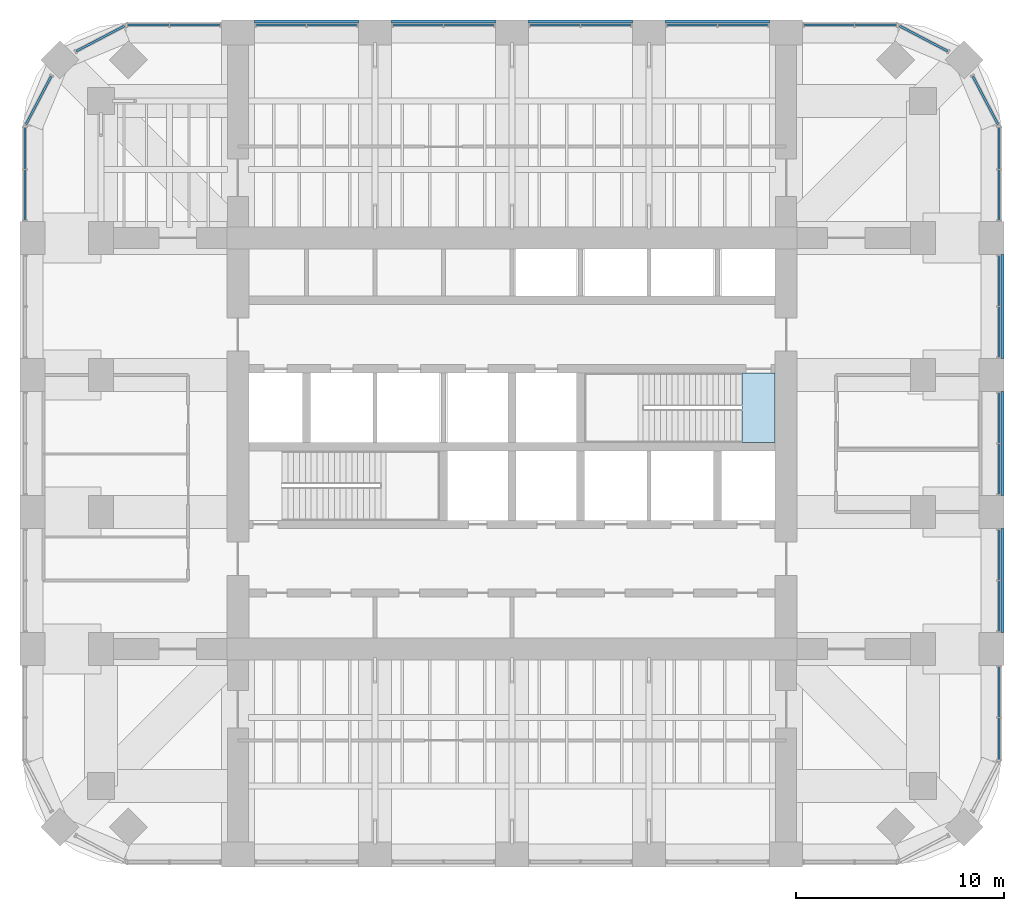
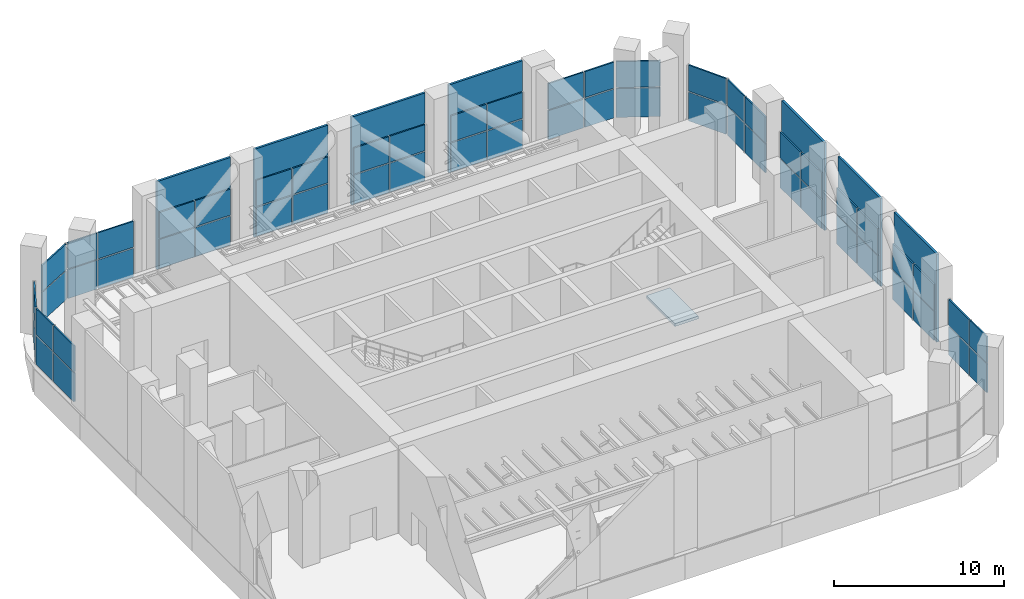
# One storey, part 10 of 15: 63 plates, 1 slab, 17 elements without a shape of their own.
"""IFC4 building model written with IfcOpenShell, lengths in metres."""

from ifc_helpers import new_model, si_unit, direction, frame, origin, origin_2d, place, context, subcontext, project, spatial, polyline, rectangle, outline, extrude, material, layer, layer_set, type_object, element, aggregate, save


model = new_model("IFC4")

# Units and contexts
model_context = context("Model", 3, precision=1e-05, world=origin(), true_north=direction((0.0, 1.0)))
body_context = subcontext(model_context, "Body", "Model", "MODEL_VIEW")
ifc_project = project(units=[si_unit("LENGTHUNIT", "METRE"), si_unit("AREAUNIT", "SQUARE_METRE"), si_unit("VOLUMEUNIT", "CUBIC_METRE"), si_unit("PLANEANGLEUNIT", "RADIAN"), si_unit("MASSUNIT", "GRAM", prefix="KILO")], contexts=[model_context])

# Site, building, storey
site_placement = place(None, origin())
site = spatial("IfcSite", under=ifc_project, at=site_placement, CompositionType="ELEMENT")
building_placement = place(site_placement, origin())
building = spatial("IfcBuilding", under=site, at=building_placement, Name="Cobogo Forest Laboratory Tower", CompositionType="ELEMENT")
storey_placement = place(building_placement, frame((0.0, 0.0, 222.89990234375)))
storey = spatial("IfcBuildingStorey", under=building, at=storey_placement, Name="L51", CompositionType="ELEMENT", Elevation=222.89990234375)

# Plates
ifc_material_1 = material(Name="Pierced concrete block", Category="concrete")
ifc_layer_1 = layer(ifc_material_1, 0.14990234375)
ifc_layer_set_1 = layer_set([ifc_layer_1], Name="CO2 cobogo block screen 150")
plate_type_1 = type_object("IfcPlateType", Name="CO2 cobogo block screen 150", PredefinedType="USERDEFINED", material=ifc_layer_set_1)
for number, where, z_axis, x_axis, name in (
    (1, (50.02490234375, 16.5, -0.14990234375), (0.0, 0.0, 1.0), (0.0, 1.0, 0.0), "Cobogo screen E1 L51"),
    (2, (50.02490234375, 23.10009765625, -0.14990234375), (0.0, 0.0, 1.0), (0.0, 1.0, 0.0), "Cobogo screen E2 L51"),
    (3, (50.02490234375, 29.699951171875, -0.14990234375), (0.0, 0.0, 1.0), (0.0, 1.0, 0.0), "Cobogo screen E3 L51"),
    (4, (16.5, 43.425048828125, -0.14990234375), (0.0, 0.0, 1.0), (1.0, 0.0, 0.0), "Cobogo screen N1 L51"),
    (5, (23.10009765625, 43.425048828125, -0.14990234375), (0.0, 0.0, 1.0), (1.0, 0.0, 0.0), "Cobogo screen N2 L51"),
    (6, (29.699951171875, 43.425048828125, -0.14990234375), (0.0, 0.0, 1.0), (1.0, 0.0, 0.0), "Cobogo screen N3 L51"),
    (7, (36.300048828125, 43.425048828125, -0.14990234375), (0.0, 0.0, 1.0), (1.0, 0.0, 0.0), "Cobogo screen N4 L51"),
):
    element("IfcPlate", number, at=place(storey_placement, frame(where, z_axis=z_axis, x_axis=x_axis)), inside=storey, type_object=plate_type_1, Name=name, ObjectType="COBOGO SCREEN", PredefinedType="USERDEFINED", context=body_context, shape_type="SweptSolid", body=[
        extrude(rectangle(XDim=5.0, YDim=0.14990234375, at=origin_2d()), origin(), (0.0, 0.0, 1.0), 6.300048828125),
    ])

# Curtain wall, plates
ifc_material_2 = material(Name="Aluminium curtain wall", Category="aluminium")
curtain_wall_type = type_object("IfcCurtainWallType", Name="CW-P louvred curtain wall, plant floors", PredefinedType="USERDEFINED", material=ifc_material_2)
curtain_wall_1_placement = place(storey_placement, origin())
curtain_wall_1 = element("IfcCurtainWall", 8, at=curtain_wall_1_placement, inside=storey, type_object=curtain_wall_type, Name="Curtain wall 09 L51", ObjectType="LOUVRED CURTAIN WALL", PredefinedType="USERDEFINED")
ifc_material_3 = material(Name="Aluminium louvre", Category="aluminium")
ifc_layer_2 = layer(ifc_material_3, 0.10009765625)
ifc_layer_set_2 = layer_set([ifc_layer_2], Name="LV-1 aluminium weather louvre panel 100")
plate_type_2 = type_object("IfcPlateType", Name="LV-1 aluminium weather louvre panel 100", PredefinedType="CURTAIN_PANEL", material=ifc_layer_set_2)
plate_1_placement = place(storey_placement, frame((49.85009765625, 8.8701171875, 0.0), z_axis=(0.0, 0.0, 1.0), x_axis=(0.0, 1.0, 0.0)))
plate_1 = element("IfcPlate", 9, at=plate_1_placement, type_object=plate_type_2, Name="CW-P panel 1.1", PredefinedType="CURTAIN_PANEL", context=body_context, shape_type="SweptSolid", body=[
    extrude(rectangle(XDim=1.97998046875, YDim=0.10009765625, at=origin_2d()), origin(), (0.0, 0.0, 1.0), 2.06005859375),
])
plate_2_placement = place(storey_placement, frame((49.85009765625, 8.8701171875, 2.14013671875), z_axis=(0.0, 0.0, 1.0), x_axis=(0.0, 1.0, 0.0)))
plate_2 = element("IfcPlate", 10, at=plate_2_placement, type_object=plate_type_2, Name="CW-P panel 1.2", PredefinedType="CURTAIN_PANEL", context=body_context, shape_type="SweptSolid", body=[
    extrude(rectangle(XDim=1.97998046875, YDim=0.10009765625, at=origin_2d()), origin(), (0.0, 0.0, 1.0), 1.860107421875),
])
plate_3_placement = place(storey_placement, frame((49.85009765625, 11.1298828125, 0.0), z_axis=(0.0, 0.0, 1.0), x_axis=(0.0, 1.0, 0.0)))
plate_3 = element("IfcPlate", 11, at=plate_3_placement, type_object=plate_type_2, Name="CW-P panel 2.1", PredefinedType="CURTAIN_PANEL", context=body_context, shape_type="SweptSolid", body=[
    extrude(rectangle(XDim=2.3798828125, YDim=0.10009765625, at=origin_2d()), origin(), (0.0, 0.0, 1.0), 2.06005859375),
])
plate_4_placement = place(storey_placement, frame((49.85009765625, 11.1298828125, 2.14013671875), z_axis=(0.0, 0.0, 1.0), x_axis=(0.0, 1.0, 0.0)))
plate_4 = element("IfcPlate", 12, at=plate_4_placement, type_object=plate_type_2, Name="CW-P panel 2.2", PredefinedType="CURTAIN_PANEL", context=body_context, shape_type="SweptSolid", body=[
    extrude(rectangle(XDim=2.3798828125, YDim=0.10009765625, at=origin_2d()), origin(), (0.0, 0.0, 1.0), 1.860107421875),
])
aggregate(curtain_wall_1, [plate_1, plate_2, plate_3, plate_4])

curtain_wall_2_placement = place(storey_placement, origin())
curtain_wall_2 = element("IfcCurtainWall", 13, at=curtain_wall_2_placement, inside=storey, type_object=curtain_wall_type, Name="Curtain wall 10 L51", ObjectType="LOUVRED CURTAIN WALL", PredefinedType="USERDEFINED")
plate_5_placement = place(storey_placement, frame((49.85009765625, 15.27001953125, 0.0), z_axis=(0.0, 0.0, 1.0), x_axis=(0.0, 1.0, 0.0)))
plate_5 = element("IfcPlate", 14, at=plate_5_placement, type_object=plate_type_2, Name="CW-P panel 1.1", PredefinedType="CURTAIN_PANEL", context=body_context, shape_type="SweptSolid", body=[
    extrude(rectangle(XDim=2.3798828125, YDim=0.10009765625, at=origin_2d()), origin(), (0.0, 0.0, 1.0), 2.06005859375),
])
plate_6_placement = place(storey_placement, frame((49.85009765625, 15.27001953125, 2.14013671875), z_axis=(0.0, 0.0, 1.0), x_axis=(0.0, 1.0, 0.0)))
plate_6 = element("IfcPlate", 15, at=plate_6_placement, type_object=plate_type_2, Name="CW-P panel 1.2", PredefinedType="CURTAIN_PANEL", context=body_context, shape_type="SweptSolid", body=[
    extrude(rectangle(XDim=2.3798828125, YDim=0.10009765625, at=origin_2d()), origin(), (0.0, 0.0, 1.0), 1.860107421875),
])
plate_7_placement = place(storey_placement, frame((49.85009765625, 17.72998046875, 0.0), z_axis=(0.0, 0.0, 1.0), x_axis=(0.0, 1.0, 0.0)))
plate_7 = element("IfcPlate", 16, at=plate_7_placement, type_object=plate_type_2, Name="CW-P panel 2.1", PredefinedType="CURTAIN_PANEL", context=body_context, shape_type="SweptSolid", body=[
    extrude(rectangle(XDim=2.3798828125, YDim=0.10009765625, at=origin_2d()), origin(), (0.0, 0.0, 1.0), 2.06005859375),
])
plate_8_placement = place(storey_placement, frame((49.85009765625, 17.72998046875, 2.14013671875), z_axis=(0.0, 0.0, 1.0), x_axis=(0.0, 1.0, 0.0)))
plate_8 = element("IfcPlate", 17, at=plate_8_placement, type_object=plate_type_2, Name="CW-P panel 2.2", PredefinedType="CURTAIN_PANEL", context=body_context, shape_type="SweptSolid", body=[
    extrude(rectangle(XDim=2.3798828125, YDim=0.10009765625, at=origin_2d()), origin(), (0.0, 0.0, 1.0), 1.860107421875),
])
aggregate(curtain_wall_2, [plate_5, plate_6, plate_7, plate_8])

curtain_wall_3_placement = place(storey_placement, origin())
curtain_wall_3 = element("IfcCurtainWall", 18, at=curtain_wall_3_placement, inside=storey, type_object=curtain_wall_type, Name="Curtain wall 11 L51", ObjectType="LOUVRED CURTAIN WALL", PredefinedType="USERDEFINED")
plate_9_placement = place(storey_placement, frame((49.85009765625, 21.8701171875, 0.0), z_axis=(0.0, 0.0, 1.0), x_axis=(0.0, 1.0, 0.0)))
plate_9 = element("IfcPlate", 19, at=plate_9_placement, type_object=plate_type_2, Name="CW-P panel 1.1", PredefinedType="CURTAIN_PANEL", context=body_context, shape_type="SweptSolid", body=[
    extrude(rectangle(XDim=2.3798828125, YDim=0.10009765625, at=origin_2d()), origin(), (0.0, 0.0, 1.0), 2.06005859375),
])
plate_10_placement = place(storey_placement, frame((49.85009765625, 21.8701171875, 2.14013671875), z_axis=(0.0, 0.0, 1.0), x_axis=(0.0, 1.0, 0.0)))
plate_10 = element("IfcPlate", 20, at=plate_10_placement, type_object=plate_type_2, Name="CW-P panel 1.2", PredefinedType="CURTAIN_PANEL", context=body_context, shape_type="SweptSolid", body=[
    extrude(rectangle(XDim=2.3798828125, YDim=0.10009765625, at=origin_2d()), origin(), (0.0, 0.0, 1.0), 1.860107421875),
])
plate_11_placement = place(storey_placement, frame((49.85009765625, 24.330078125, 0.0), z_axis=(0.0, 0.0, 1.0), x_axis=(0.0, 1.0, 0.0)))
plate_11 = element("IfcPlate", 21, at=plate_11_placement, type_object=plate_type_2, Name="CW-P panel 2.1", PredefinedType="CURTAIN_PANEL", context=body_context, shape_type="SweptSolid", body=[
    extrude(rectangle(XDim=2.3798828125, YDim=0.10009765625, at=origin_2d()), origin(), (0.0, 0.0, 1.0), 2.06005859375),
])
plate_12_placement = place(storey_placement, frame((49.85009765625, 24.330078125, 2.14013671875), z_axis=(0.0, 0.0, 1.0), x_axis=(0.0, 1.0, 0.0)))
plate_12 = element("IfcPlate", 22, at=plate_12_placement, type_object=plate_type_2, Name="CW-P panel 2.2", PredefinedType="CURTAIN_PANEL", context=body_context, shape_type="SweptSolid", body=[
    extrude(rectangle(XDim=2.3798828125, YDim=0.10009765625, at=origin_2d()), origin(), (0.0, 0.0, 1.0), 1.860107421875),
])
aggregate(curtain_wall_3, [plate_9, plate_10, plate_11, plate_12])

curtain_wall_4_placement = place(storey_placement, origin())
curtain_wall_4 = element("IfcCurtainWall", 23, at=curtain_wall_4_placement, inside=storey, type_object=curtain_wall_type, Name="Curtain wall 12 L51", ObjectType="LOUVRED CURTAIN WALL", PredefinedType="USERDEFINED")
plate_13_placement = place(storey_placement, frame((49.85009765625, 28.469970703125, 0.0), z_axis=(0.0, 0.0, 1.0), x_axis=(0.0, 1.0, 0.0)))
plate_13 = element("IfcPlate", 24, at=plate_13_placement, type_object=plate_type_2, Name="CW-P panel 1.1", PredefinedType="CURTAIN_PANEL", context=body_context, shape_type="SweptSolid", body=[
    extrude(rectangle(XDim=2.3798828125, YDim=0.10009765625, at=origin_2d()), origin(), (0.0, 0.0, 1.0), 2.06005859375),
])
plate_14_placement = place(storey_placement, frame((49.85009765625, 28.469970703125, 2.14013671875), z_axis=(0.0, 0.0, 1.0), x_axis=(0.0, 1.0, 0.0)))
plate_14 = element("IfcPlate", 25, at=plate_14_placement, type_object=plate_type_2, Name="CW-P panel 1.2", PredefinedType="CURTAIN_PANEL", context=body_context, shape_type="SweptSolid", body=[
    extrude(rectangle(XDim=2.3798828125, YDim=0.10009765625, at=origin_2d()), origin(), (0.0, 0.0, 1.0), 1.860107421875),
])
plate_15_placement = place(storey_placement, frame((49.85009765625, 30.929931640625, 0.0), z_axis=(0.0, 0.0, 1.0), x_axis=(0.0, 1.0, 0.0)))
plate_15 = element("IfcPlate", 26, at=plate_15_placement, type_object=plate_type_2, Name="CW-P panel 2.1", PredefinedType="CURTAIN_PANEL", context=body_context, shape_type="SweptSolid", body=[
    extrude(rectangle(XDim=2.3798828125, YDim=0.10009765625, at=origin_2d()), origin(), (0.0, 0.0, 1.0), 2.06005859375),
])
plate_16_placement = place(storey_placement, frame((49.85009765625, 30.929931640625, 2.14013671875), z_axis=(0.0, 0.0, 1.0), x_axis=(0.0, 1.0, 0.0)))
plate_16 = element("IfcPlate", 27, at=plate_16_placement, type_object=plate_type_2, Name="CW-P panel 2.2", PredefinedType="CURTAIN_PANEL", context=body_context, shape_type="SweptSolid", body=[
    extrude(rectangle(XDim=2.3798828125, YDim=0.10009765625, at=origin_2d()), origin(), (0.0, 0.0, 1.0), 1.860107421875),
])
aggregate(curtain_wall_4, [plate_13, plate_14, plate_15, plate_16])

curtain_wall_5_placement = place(storey_placement, origin())
curtain_wall_5 = element("IfcCurtainWall", 28, at=curtain_wall_5_placement, inside=storey, type_object=curtain_wall_type, Name="Curtain wall 13 L51", ObjectType="LOUVRED CURTAIN WALL", PredefinedType="USERDEFINED")
plate_17_placement = place(storey_placement, frame((49.85009765625, 35.070068359375, 0.0), z_axis=(0.0, 0.0, 1.0), x_axis=(0.0, 1.0, 0.0)))
plate_17 = element("IfcPlate", 29, at=plate_17_placement, type_object=plate_type_2, Name="CW-P panel 1.1", PredefinedType="CURTAIN_PANEL", context=body_context, shape_type="SweptSolid", body=[
    extrude(rectangle(XDim=2.3798828125, YDim=0.10009765625, at=origin_2d()), origin(), (0.0, 0.0, 1.0), 2.06005859375),
])
plate_18_placement = place(storey_placement, frame((49.85009765625, 35.070068359375, 2.14013671875), z_axis=(0.0, 0.0, 1.0), x_axis=(0.0, 1.0, 0.0)))
plate_18 = element("IfcPlate", 30, at=plate_18_placement, type_object=plate_type_2, Name="CW-P panel 1.2", PredefinedType="CURTAIN_PANEL", context=body_context, shape_type="SweptSolid", body=[
    extrude(rectangle(XDim=2.3798828125, YDim=0.10009765625, at=origin_2d()), origin(), (0.0, 0.0, 1.0), 1.860107421875),
])
plate_19_placement = place(storey_placement, frame((49.85009765625, 37.330078125, 0.0), z_axis=(0.0, 0.0, 1.0), x_axis=(0.0, 1.0, 0.0)))
plate_19 = element("IfcPlate", 31, at=plate_19_placement, type_object=plate_type_2, Name="CW-P panel 2.1", PredefinedType="CURTAIN_PANEL", context=body_context, shape_type="SweptSolid", body=[
    extrude(rectangle(XDim=1.97998046875, YDim=0.10009765625, at=origin_2d()), origin(), (0.0, 0.0, 1.0), 2.06005859375),
])
plate_20_placement = place(storey_placement, frame((49.85009765625, 37.330078125, 2.14013671875), z_axis=(0.0, 0.0, 1.0), x_axis=(0.0, 1.0, 0.0)))
plate_20 = element("IfcPlate", 32, at=plate_20_placement, type_object=plate_type_2, Name="CW-P panel 2.2", PredefinedType="CURTAIN_PANEL", context=body_context, shape_type="SweptSolid", body=[
    extrude(rectangle(XDim=1.97998046875, YDim=0.10009765625, at=origin_2d()), origin(), (0.0, 0.0, 1.0), 1.860107421875),
])
aggregate(curtain_wall_5, [plate_17, plate_18, plate_19, plate_20])

curtain_wall_6_placement = place(storey_placement, origin())
curtain_wall_6 = element("IfcCurtainWall", 33, at=curtain_wall_6_placement, inside=storey, type_object=curtain_wall_type, Name="Curtain wall 14 L51", ObjectType="LOUVRED CURTAIN WALL", PredefinedType="USERDEFINED")
plate_21_placement = place(storey_placement, frame((49.20556640625, 39.629150390625, 0.0), z_axis=(0.0, 0.0, 1.0), x_axis=(-0.464283685186, 0.885686547075, 0.0)))
plate_21 = element("IfcPlate", 34, at=plate_21_placement, type_object=plate_type_2, Name="CW-P panel 1.1", PredefinedType="CURTAIN_PANEL", context=body_context, shape_type="SweptSolid", body=[
    extrude(rectangle(XDim=2.615478515625, YDim=0.10009765625, at=origin_2d()), origin(), (0.0, 0.0, 1.0), 2.06005859375),
])
plate_22_placement = place(storey_placement, frame((49.20556640625, 39.629150390625, 2.14013671875), z_axis=(0.0, 0.0, 1.0), x_axis=(-0.464283685186, 0.885686547075, 0.0)))
plate_22 = element("IfcPlate", 35, at=plate_22_placement, type_object=plate_type_2, Name="CW-P panel 1.2", PredefinedType="CURTAIN_PANEL", context=body_context, shape_type="SweptSolid", body=[
    extrude(rectangle(XDim=2.615478515625, YDim=0.10009765625, at=origin_2d()), origin(), (0.0, 0.0, 1.0), 1.860107421875),
])
aggregate(curtain_wall_6, [plate_21, plate_22])

curtain_wall_7_placement = place(storey_placement, origin())
curtain_wall_7 = element("IfcCurtainWall", 36, at=curtain_wall_7_placement, inside=storey, type_object=curtain_wall_type, Name="Curtain wall 15 L51", ObjectType="LOUVRED CURTAIN WALL", PredefinedType="USERDEFINED")
plate_23_placement = place(storey_placement, frame((46.229248046875, 42.605712890625, 0.0), z_axis=(0.0, 0.0, 1.0), x_axis=(-0.885686547075, 0.464283685186, 0.0)))
plate_23 = element("IfcPlate", 37, at=plate_23_placement, type_object=plate_type_2, Name="CW-P panel 1.1", PredefinedType="CURTAIN_PANEL", context=body_context, shape_type="SweptSolid", body=[
    extrude(rectangle(XDim=2.615478515625, YDim=0.10009765625, at=origin_2d()), origin(), (0.0, 0.0, 1.0), 2.06005859375),
])
plate_24_placement = place(storey_placement, frame((46.229248046875, 42.605712890625, 2.14013671875), z_axis=(0.0, 0.0, 1.0), x_axis=(-0.885686547075, 0.464283685186, 0.0)))
plate_24 = element("IfcPlate", 38, at=plate_24_placement, type_object=plate_type_2, Name="CW-P panel 1.2", PredefinedType="CURTAIN_PANEL", context=body_context, shape_type="SweptSolid", body=[
    extrude(rectangle(XDim=2.615478515625, YDim=0.10009765625, at=origin_2d()), origin(), (0.0, 0.0, 1.0), 1.860107421875),
])
aggregate(curtain_wall_7, [plate_23, plate_24])

curtain_wall_8_placement = place(storey_placement, origin())
curtain_wall_8 = element("IfcCurtainWall", 39, at=curtain_wall_8_placement, inside=storey, type_object=curtain_wall_type, Name="Curtain wall 16 L51", ObjectType="LOUVRED CURTAIN WALL", PredefinedType="USERDEFINED")
plate_25_placement = place(storey_placement, frame((43.929931640625, 43.25, 0.0), z_axis=(0.0, 0.0, 1.0), x_axis=(-1.0, 0.0, 0.0)))
plate_25 = element("IfcPlate", 40, at=plate_25_placement, type_object=plate_type_2, Name="CW-P panel 1.1", PredefinedType="CURTAIN_PANEL", context=body_context, shape_type="SweptSolid", body=[
    extrude(rectangle(XDim=1.97998046875, YDim=0.10009765625, at=origin_2d()), origin(), (0.0, 0.0, 1.0), 2.06005859375),
])
plate_26_placement = place(storey_placement, frame((43.929931640625, 43.25, 2.14013671875), z_axis=(0.0, 0.0, 1.0), x_axis=(-1.0, 0.0, 0.0)))
plate_26 = element("IfcPlate", 41, at=plate_26_placement, type_object=plate_type_2, Name="CW-P panel 1.2", PredefinedType="CURTAIN_PANEL", context=body_context, shape_type="SweptSolid", body=[
    extrude(rectangle(XDim=1.97998046875, YDim=0.10009765625, at=origin_2d()), origin(), (0.0, 0.0, 1.0), 1.860107421875),
])
plate_27_placement = place(storey_placement, frame((41.669921875, 43.25, 0.0), z_axis=(0.0, 0.0, 1.0), x_axis=(-1.0, 0.0, 0.0)))
plate_27 = element("IfcPlate", 42, at=plate_27_placement, type_object=plate_type_2, Name="CW-P panel 2.1", PredefinedType="CURTAIN_PANEL", context=body_context, shape_type="SweptSolid", body=[
    extrude(rectangle(XDim=2.3798828125, YDim=0.10009765625, at=origin_2d()), origin(), (0.0, 0.0, 1.0), 2.06005859375),
])
plate_28_placement = place(storey_placement, frame((41.669921875, 43.25, 2.14013671875), z_axis=(0.0, 0.0, 1.0), x_axis=(-1.0, 0.0, 0.0)))
plate_28 = element("IfcPlate", 43, at=plate_28_placement, type_object=plate_type_2, Name="CW-P panel 2.2", PredefinedType="CURTAIN_PANEL", context=body_context, shape_type="SweptSolid", body=[
    extrude(rectangle(XDim=2.3798828125, YDim=0.10009765625, at=origin_2d()), origin(), (0.0, 0.0, 1.0), 1.860107421875),
])
aggregate(curtain_wall_8, [plate_25, plate_26, plate_27, plate_28])

curtain_wall_9_placement = place(storey_placement, origin())
curtain_wall_9 = element("IfcCurtainWall", 44, at=curtain_wall_9_placement, inside=storey, type_object=curtain_wall_type, Name="Curtain wall 17 L51", ObjectType="LOUVRED CURTAIN WALL", PredefinedType="USERDEFINED")
plate_29_placement = place(storey_placement, frame((37.530029296875, 43.25, 0.0), z_axis=(0.0, 0.0, 1.0), x_axis=(-1.0, 0.0, 0.0)))
plate_29 = element("IfcPlate", 45, at=plate_29_placement, type_object=plate_type_2, Name="CW-P panel 1.1", PredefinedType="CURTAIN_PANEL", context=body_context, shape_type="SweptSolid", body=[
    extrude(rectangle(XDim=2.3798828125, YDim=0.10009765625, at=origin_2d()), origin(), (0.0, 0.0, 1.0), 2.06005859375),
])
plate_30_placement = place(storey_placement, frame((37.530029296875, 43.25, 2.14013671875), z_axis=(0.0, 0.0, 1.0), x_axis=(-1.0, 0.0, 0.0)))
plate_30 = element("IfcPlate", 46, at=plate_30_placement, type_object=plate_type_2, Name="CW-P panel 1.2", PredefinedType="CURTAIN_PANEL", context=body_context, shape_type="SweptSolid", body=[
    extrude(rectangle(XDim=2.3798828125, YDim=0.10009765625, at=origin_2d()), origin(), (0.0, 0.0, 1.0), 1.860107421875),
])
plate_31_placement = place(storey_placement, frame((35.070068359375, 43.25, 0.0), z_axis=(0.0, 0.0, 1.0), x_axis=(-1.0, 0.0, 0.0)))
plate_31 = element("IfcPlate", 47, at=plate_31_placement, type_object=plate_type_2, Name="CW-P panel 2.1", PredefinedType="CURTAIN_PANEL", context=body_context, shape_type="SweptSolid", body=[
    extrude(rectangle(XDim=2.3798828125, YDim=0.10009765625, at=origin_2d()), origin(), (0.0, 0.0, 1.0), 2.06005859375),
])
plate_32_placement = place(storey_placement, frame((35.070068359375, 43.25, 2.14013671875), z_axis=(0.0, 0.0, 1.0), x_axis=(-1.0, 0.0, 0.0)))
plate_32 = element("IfcPlate", 48, at=plate_32_placement, type_object=plate_type_2, Name="CW-P panel 2.2", PredefinedType="CURTAIN_PANEL", context=body_context, shape_type="SweptSolid", body=[
    extrude(rectangle(XDim=2.3798828125, YDim=0.10009765625, at=origin_2d()), origin(), (0.0, 0.0, 1.0), 1.860107421875),
])
aggregate(curtain_wall_9, [plate_29, plate_30, plate_31, plate_32])

curtain_wall_10_placement = place(storey_placement, origin())
curtain_wall_10 = element("IfcCurtainWall", 49, at=curtain_wall_10_placement, inside=storey, type_object=curtain_wall_type, Name="Curtain wall 18 L51", ObjectType="LOUVRED CURTAIN WALL", PredefinedType="USERDEFINED")
plate_33_placement = place(storey_placement, frame((30.929931640625, 43.25, 0.0), z_axis=(0.0, 0.0, 1.0), x_axis=(-1.0, 0.0, 0.0)))
plate_33 = element("IfcPlate", 50, at=plate_33_placement, type_object=plate_type_2, Name="CW-P panel 1.1", PredefinedType="CURTAIN_PANEL", context=body_context, shape_type="SweptSolid", body=[
    extrude(rectangle(XDim=2.3798828125, YDim=0.10009765625, at=origin_2d()), origin(), (0.0, 0.0, 1.0), 2.06005859375),
])
plate_34_placement = place(storey_placement, frame((30.929931640625, 43.25, 2.14013671875), z_axis=(0.0, 0.0, 1.0), x_axis=(-1.0, 0.0, 0.0)))
plate_34 = element("IfcPlate", 51, at=plate_34_placement, type_object=plate_type_2, Name="CW-P panel 1.2", PredefinedType="CURTAIN_PANEL", context=body_context, shape_type="SweptSolid", body=[
    extrude(rectangle(XDim=2.3798828125, YDim=0.10009765625, at=origin_2d()), origin(), (0.0, 0.0, 1.0), 1.860107421875),
])
plate_35_placement = place(storey_placement, frame((28.469970703125, 43.25, 0.0), z_axis=(0.0, 0.0, 1.0), x_axis=(-1.0, 0.0, 0.0)))
plate_35 = element("IfcPlate", 52, at=plate_35_placement, type_object=plate_type_2, Name="CW-P panel 2.1", PredefinedType="CURTAIN_PANEL", context=body_context, shape_type="SweptSolid", body=[
    extrude(rectangle(XDim=2.3798828125, YDim=0.10009765625, at=origin_2d()), origin(), (0.0, 0.0, 1.0), 2.06005859375),
])
plate_36_placement = place(storey_placement, frame((28.469970703125, 43.25, 2.14013671875), z_axis=(0.0, 0.0, 1.0), x_axis=(-1.0, 0.0, 0.0)))
plate_36 = element("IfcPlate", 53, at=plate_36_placement, type_object=plate_type_2, Name="CW-P panel 2.2", PredefinedType="CURTAIN_PANEL", context=body_context, shape_type="SweptSolid", body=[
    extrude(rectangle(XDim=2.3798828125, YDim=0.10009765625, at=origin_2d()), origin(), (0.0, 0.0, 1.0), 1.860107421875),
])
aggregate(curtain_wall_10, [plate_33, plate_34, plate_35, plate_36])

curtain_wall_11_placement = place(storey_placement, origin())
curtain_wall_11 = element("IfcCurtainWall", 54, at=curtain_wall_11_placement, inside=storey, type_object=curtain_wall_type, Name="Curtain wall 19 L51", ObjectType="LOUVRED CURTAIN WALL", PredefinedType="USERDEFINED")
plate_37_placement = place(storey_placement, frame((24.330078125, 43.25, 0.0), z_axis=(0.0, 0.0, 1.0), x_axis=(-1.0, 0.0, 0.0)))
plate_37 = element("IfcPlate", 55, at=plate_37_placement, type_object=plate_type_2, Name="CW-P panel 1.1", PredefinedType="CURTAIN_PANEL", context=body_context, shape_type="SweptSolid", body=[
    extrude(rectangle(XDim=2.3798828125, YDim=0.10009765625, at=origin_2d()), origin(), (0.0, 0.0, 1.0), 2.06005859375),
])
plate_38_placement = place(storey_placement, frame((24.330078125, 43.25, 2.14013671875), z_axis=(0.0, 0.0, 1.0), x_axis=(-1.0, 0.0, 0.0)))
plate_38 = element("IfcPlate", 56, at=plate_38_placement, type_object=plate_type_2, Name="CW-P panel 1.2", PredefinedType="CURTAIN_PANEL", context=body_context, shape_type="SweptSolid", body=[
    extrude(rectangle(XDim=2.3798828125, YDim=0.10009765625, at=origin_2d()), origin(), (0.0, 0.0, 1.0), 1.860107421875),
])
plate_39_placement = place(storey_placement, frame((21.8701171875, 43.25, 0.0), z_axis=(0.0, 0.0, 1.0), x_axis=(-1.0, 0.0, 0.0)))
plate_39 = element("IfcPlate", 57, at=plate_39_placement, type_object=plate_type_2, Name="CW-P panel 2.1", PredefinedType="CURTAIN_PANEL", context=body_context, shape_type="SweptSolid", body=[
    extrude(rectangle(XDim=2.3798828125, YDim=0.10009765625, at=origin_2d()), origin(), (0.0, 0.0, 1.0), 2.06005859375),
])
plate_40_placement = place(storey_placement, frame((21.8701171875, 43.25, 2.14013671875), z_axis=(0.0, 0.0, 1.0), x_axis=(-1.0, 0.0, 0.0)))
plate_40 = element("IfcPlate", 58, at=plate_40_placement, type_object=plate_type_2, Name="CW-P panel 2.2", PredefinedType="CURTAIN_PANEL", context=body_context, shape_type="SweptSolid", body=[
    extrude(rectangle(XDim=2.3798828125, YDim=0.10009765625, at=origin_2d()), origin(), (0.0, 0.0, 1.0), 1.860107421875),
])
aggregate(curtain_wall_11, [plate_37, plate_38, plate_39, plate_40])

curtain_wall_12_placement = place(storey_placement, origin())
curtain_wall_12 = element("IfcCurtainWall", 59, at=curtain_wall_12_placement, inside=storey, type_object=curtain_wall_type, Name="Curtain wall 20 L51", ObjectType="LOUVRED CURTAIN WALL", PredefinedType="USERDEFINED")
plate_41_placement = place(storey_placement, frame((17.72998046875, 43.25, 0.0), z_axis=(0.0, 0.0, 1.0), x_axis=(-1.0, 0.0, 0.0)))
plate_41 = element("IfcPlate", 60, at=plate_41_placement, type_object=plate_type_2, Name="CW-P panel 1.1", PredefinedType="CURTAIN_PANEL", context=body_context, shape_type="SweptSolid", body=[
    extrude(rectangle(XDim=2.3798828125, YDim=0.10009765625, at=origin_2d()), origin(), (0.0, 0.0, 1.0), 2.06005859375),
])
plate_42_placement = place(storey_placement, frame((17.72998046875, 43.25, 2.14013671875), z_axis=(0.0, 0.0, 1.0), x_axis=(-1.0, 0.0, 0.0)))
plate_42 = element("IfcPlate", 61, at=plate_42_placement, type_object=plate_type_2, Name="CW-P panel 1.2", PredefinedType="CURTAIN_PANEL", context=body_context, shape_type="SweptSolid", body=[
    extrude(rectangle(XDim=2.3798828125, YDim=0.10009765625, at=origin_2d()), origin(), (0.0, 0.0, 1.0), 1.860107421875),
])
plate_43_placement = place(storey_placement, frame((15.27001953125, 43.25, 0.0), z_axis=(0.0, 0.0, 1.0), x_axis=(-1.0, 0.0, 0.0)))
plate_43 = element("IfcPlate", 62, at=plate_43_placement, type_object=plate_type_2, Name="CW-P panel 2.1", PredefinedType="CURTAIN_PANEL", context=body_context, shape_type="SweptSolid", body=[
    extrude(rectangle(XDim=2.3798828125, YDim=0.10009765625, at=origin_2d()), origin(), (0.0, 0.0, 1.0), 2.06005859375),
])
plate_44_placement = place(storey_placement, frame((15.27001953125, 43.25, 2.14013671875), z_axis=(0.0, 0.0, 1.0), x_axis=(-1.0, 0.0, 0.0)))
plate_44 = element("IfcPlate", 63, at=plate_44_placement, type_object=plate_type_2, Name="CW-P panel 2.2", PredefinedType="CURTAIN_PANEL", context=body_context, shape_type="SweptSolid", body=[
    extrude(rectangle(XDim=2.3798828125, YDim=0.10009765625, at=origin_2d()), origin(), (0.0, 0.0, 1.0), 1.860107421875),
])
aggregate(curtain_wall_12, [plate_41, plate_42, plate_43, plate_44])

curtain_wall_13_placement = place(storey_placement, origin())
curtain_wall_13 = element("IfcCurtainWall", 64, at=curtain_wall_13_placement, inside=storey, type_object=curtain_wall_type, Name="Curtain wall 21 L51", ObjectType="LOUVRED CURTAIN WALL", PredefinedType="USERDEFINED")
plate_45_placement = place(storey_placement, frame((11.1298828125, 43.25, 0.0), z_axis=(0.0, 0.0, 1.0), x_axis=(-1.0, 0.0, 0.0)))
plate_45 = element("IfcPlate", 65, at=plate_45_placement, type_object=plate_type_2, Name="CW-P panel 1.1", PredefinedType="CURTAIN_PANEL", context=body_context, shape_type="SweptSolid", body=[
    extrude(rectangle(XDim=2.3798828125, YDim=0.10009765625, at=origin_2d()), origin(), (0.0, 0.0, 1.0), 2.06005859375),
])
plate_46_placement = place(storey_placement, frame((11.1298828125, 43.25, 2.14013671875), z_axis=(0.0, 0.0, 1.0), x_axis=(-1.0, 0.0, 0.0)))
plate_46 = element("IfcPlate", 66, at=plate_46_placement, type_object=plate_type_2, Name="CW-P panel 1.2", PredefinedType="CURTAIN_PANEL", context=body_context, shape_type="SweptSolid", body=[
    extrude(rectangle(XDim=2.3798828125, YDim=0.10009765625, at=origin_2d()), origin(), (0.0, 0.0, 1.0), 1.860107421875),
])
plate_47_placement = place(storey_placement, frame((8.8701171875, 43.25, 0.0), z_axis=(0.0, 0.0, 1.0), x_axis=(-1.0, 0.0, 0.0)))
plate_47 = element("IfcPlate", 67, at=plate_47_placement, type_object=plate_type_2, Name="CW-P panel 2.1", PredefinedType="CURTAIN_PANEL", context=body_context, shape_type="SweptSolid", body=[
    extrude(rectangle(XDim=1.97998046875, YDim=0.10009765625, at=origin_2d()), origin(), (0.0, 0.0, 1.0), 2.06005859375),
])
plate_48_placement = place(storey_placement, frame((8.8701171875, 43.25, 2.14013671875), z_axis=(0.0, 0.0, 1.0), x_axis=(-1.0, 0.0, 0.0)))
plate_48 = element("IfcPlate", 68, at=plate_48_placement, type_object=plate_type_2, Name="CW-P panel 2.2", PredefinedType="CURTAIN_PANEL", context=body_context, shape_type="SweptSolid", body=[
    extrude(rectangle(XDim=1.97998046875, YDim=0.10009765625, at=origin_2d()), origin(), (0.0, 0.0, 1.0), 1.860107421875),
])
aggregate(curtain_wall_13, [plate_45, plate_46, plate_47, plate_48])

curtain_wall_14_placement = place(storey_placement, origin())
curtain_wall_14 = element("IfcCurtainWall", 69, at=curtain_wall_14_placement, inside=storey, type_object=curtain_wall_type, Name="Curtain wall 22 L51", ObjectType="LOUVRED CURTAIN WALL", PredefinedType="USERDEFINED")
plate_49_placement = place(storey_placement, frame((6.57080078125, 42.605712890625, 0.0), z_axis=(0.0, 0.0, 1.0), x_axis=(-0.885686547075, -0.464283685186, 0.0)))
plate_49 = element("IfcPlate", 70, at=plate_49_placement, type_object=plate_type_2, Name="CW-P panel 1.1", PredefinedType="CURTAIN_PANEL", context=body_context, shape_type="SweptSolid", body=[
    extrude(rectangle(XDim=2.615478515625, YDim=0.10009765625, at=origin_2d()), origin(), (0.0, 0.0, 1.0), 2.06005859375),
])
plate_50_placement = place(storey_placement, frame((6.57080078125, 42.605712890625, 2.14013671875), z_axis=(0.0, 0.0, 1.0), x_axis=(-0.885686547075, -0.464283685186, 0.0)))
plate_50 = element("IfcPlate", 71, at=plate_50_placement, type_object=plate_type_2, Name="CW-P panel 1.2", PredefinedType="CURTAIN_PANEL", context=body_context, shape_type="SweptSolid", body=[
    extrude(rectangle(XDim=2.615478515625, YDim=0.10009765625, at=origin_2d()), origin(), (0.0, 0.0, 1.0), 1.860107421875),
])
aggregate(curtain_wall_14, [plate_49, plate_50])

curtain_wall_15_placement = place(storey_placement, origin())
curtain_wall_15 = element("IfcCurtainWall", 72, at=curtain_wall_15_placement, inside=storey, type_object=curtain_wall_type, Name="Curtain wall 23 L51", ObjectType="LOUVRED CURTAIN WALL", PredefinedType="USERDEFINED")
plate_51_placement = place(storey_placement, frame((3.59423828125, 39.629150390625, 0.0), z_axis=(0.0, 0.0, 1.0), x_axis=(-0.464283685186, -0.885686547075, 0.0)))
plate_51 = element("IfcPlate", 73, at=plate_51_placement, type_object=plate_type_2, Name="CW-P panel 1.1", PredefinedType="CURTAIN_PANEL", context=body_context, shape_type="SweptSolid", body=[
    extrude(rectangle(XDim=2.615478515625, YDim=0.10009765625, at=origin_2d()), origin(), (0.0, 0.0, 1.0), 2.06005859375),
])
plate_52_placement = place(storey_placement, frame((3.59423828125, 39.629150390625, 2.14013671875), z_axis=(0.0, 0.0, 1.0), x_axis=(-0.464283685186, -0.885686547075, 0.0)))
plate_52 = element("IfcPlate", 74, at=plate_52_placement, type_object=plate_type_2, Name="CW-P panel 1.2", PredefinedType="CURTAIN_PANEL", context=body_context, shape_type="SweptSolid", body=[
    extrude(rectangle(XDim=2.615478515625, YDim=0.10009765625, at=origin_2d()), origin(), (0.0, 0.0, 1.0), 1.860107421875),
])
aggregate(curtain_wall_15, [plate_51, plate_52])

curtain_wall_16_placement = place(storey_placement, origin())
curtain_wall_16 = element("IfcCurtainWall", 75, at=curtain_wall_16_placement, inside=storey, type_object=curtain_wall_type, Name="Curtain wall 24 L51", ObjectType="LOUVRED CURTAIN WALL", PredefinedType="USERDEFINED")
plate_53_placement = place(storey_placement, frame((2.949951171875, 37.330078125, 0.0), z_axis=(0.0, 0.0, 1.0), x_axis=(0.0, -1.0, 0.0)))
plate_53 = element("IfcPlate", 76, at=plate_53_placement, type_object=plate_type_2, Name="CW-P panel 1.1", PredefinedType="CURTAIN_PANEL", context=body_context, shape_type="SweptSolid", body=[
    extrude(rectangle(XDim=1.97998046875, YDim=0.10009765625, at=origin_2d()), origin(), (0.0, 0.0, 1.0), 2.06005859375),
])
plate_54_placement = place(storey_placement, frame((2.949951171875, 37.330078125, 2.14013671875), z_axis=(0.0, 0.0, 1.0), x_axis=(0.0, -1.0, 0.0)))
plate_54 = element("IfcPlate", 77, at=plate_54_placement, type_object=plate_type_2, Name="CW-P panel 1.2", PredefinedType="CURTAIN_PANEL", context=body_context, shape_type="SweptSolid", body=[
    extrude(rectangle(XDim=1.97998046875, YDim=0.10009765625, at=origin_2d()), origin(), (0.0, 0.0, 1.0), 1.860107421875),
])
plate_55_placement = place(storey_placement, frame((2.949951171875, 35.070068359375, 0.0), z_axis=(0.0, 0.0, 1.0), x_axis=(0.0, -1.0, 0.0)))
plate_55 = element("IfcPlate", 78, at=plate_55_placement, type_object=plate_type_2, Name="CW-P panel 2.1", PredefinedType="CURTAIN_PANEL", context=body_context, shape_type="SweptSolid", body=[
    extrude(rectangle(XDim=2.3798828125, YDim=0.10009765625, at=origin_2d()), origin(), (0.0, 0.0, 1.0), 2.06005859375),
])
plate_56_placement = place(storey_placement, frame((2.949951171875, 35.070068359375, 2.14013671875), z_axis=(0.0, 0.0, 1.0), x_axis=(0.0, -1.0, 0.0)))
plate_56 = element("IfcPlate", 79, at=plate_56_placement, type_object=plate_type_2, Name="CW-P panel 2.2", PredefinedType="CURTAIN_PANEL", context=body_context, shape_type="SweptSolid", body=[
    extrude(rectangle(XDim=2.3798828125, YDim=0.10009765625, at=origin_2d()), origin(), (0.0, 0.0, 1.0), 1.860107421875),
])
aggregate(curtain_wall_16, [plate_53, plate_54, plate_55, plate_56])

# Stair, slab
ifc_material_4 = material(Name="Precast concrete HA-40 (C40/50)", Category="concrete")
stair_type = type_object("IfcStairType", Name="ST36 exit stair 36 risers", PredefinedType="HALF_TURN_STAIR", material=ifc_material_4)
stair_placement = place(storey_placement, origin())
stair = element("IfcStair", 80, at=stair_placement, inside=storey, type_object=stair_type, Name="Stair 2 L51 to L52", PredefinedType="HALF_TURN_STAIR")
ifc_material_5 = material(Name="Concrete HA-40 (C40/50)", Category="concrete")
ifc_layer_3 = layer(ifc_material_5, 0.199951171875)
ifc_layer_set_3 = layer_set([ifc_layer_3], Name="SL stair landing 200")
slab_type = type_object("IfcSlabType", Name="SL stair landing 200", PredefinedType="LANDING", material=ifc_layer_set_3)
slab_placement = place(storey_placement, frame((0.0, 0.0, -0.199951171875)))
slab = element("IfcSlab", 81, at=slab_placement, type_object=slab_type, Name="ST2 landing 1", PredefinedType="LANDING", context=body_context, shape_type="SweptSolid", body=[
    extrude(outline(polyline([(37.472900390625, 23.14990234375), (39.074951171875, 23.14990234375), (39.074951171875, 26.5), (37.472900390625, 26.5), (37.472900390625, 23.14990234375)])), origin(), (0.0, 0.0, 1.0), 0.199951171875),
])
aggregate(stair, [slab])

save(model, "model.ifc")
